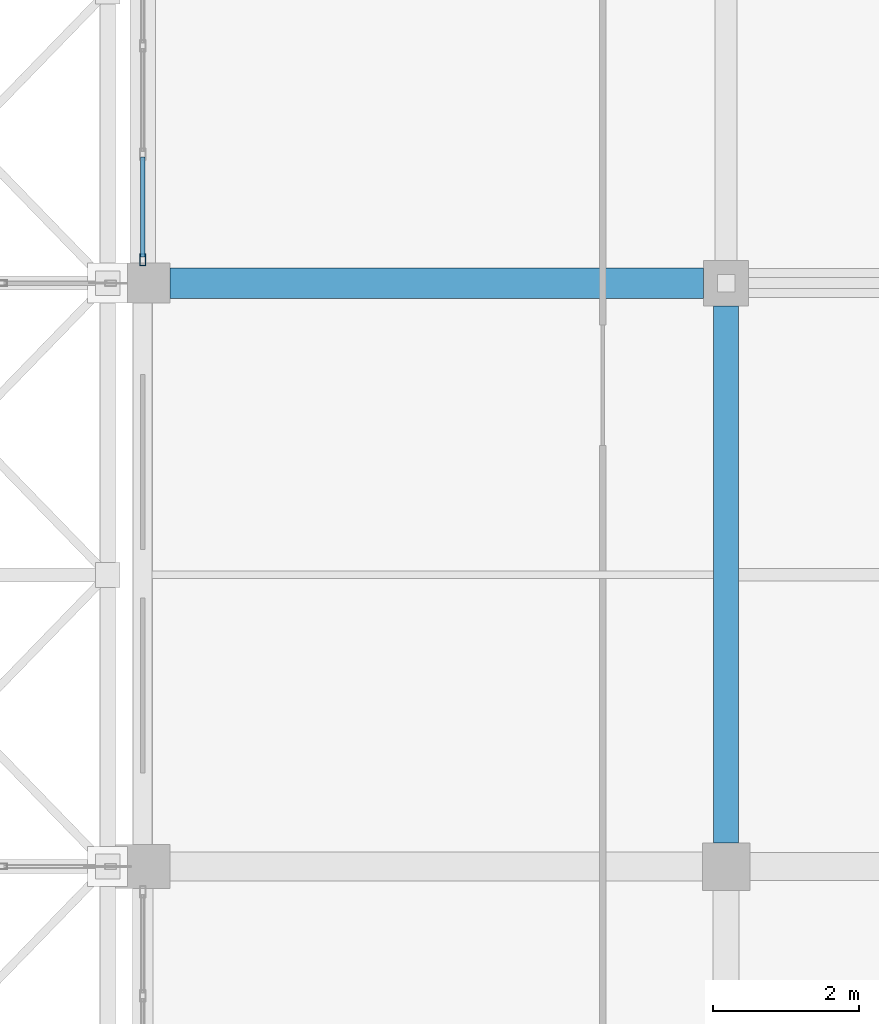
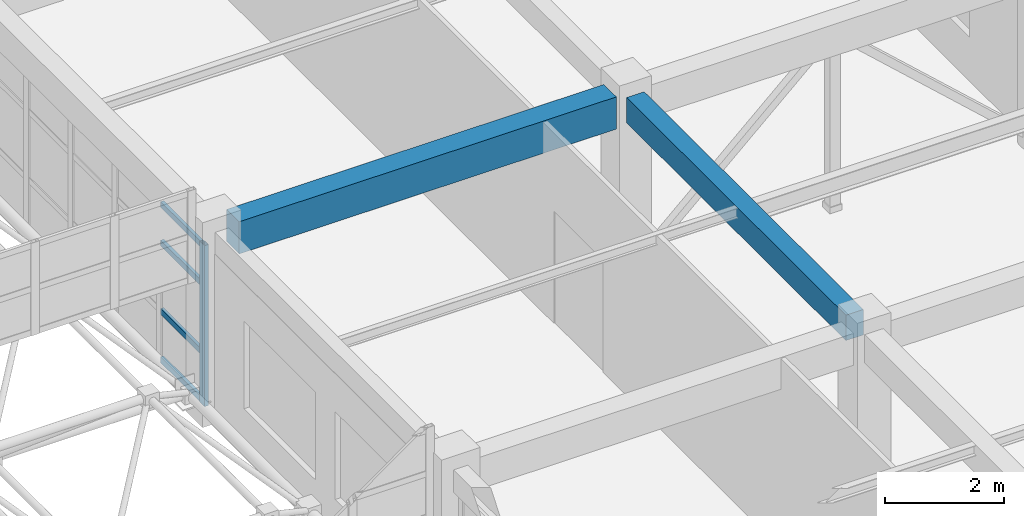
# One storey, part 69 of 195: 5 members, 2 beams, 1 element without a shape of its own.
"""IFC4 building model written with IfcOpenShell, lengths in metres."""

from ifc_helpers import new_model, si_unit, direction, frame, origin, origin_2d, place, context, subcontext, project, spatial, rectangle, hollow_rectangle, extrude, material, material_profile, profile_set, type_object, element, aggregate, save


model = new_model("IFC4")

# Units and contexts
model_context = context("Model", 3, precision=1e-05, world=origin(), true_north=direction((0.0, 1.0)))
body_context = subcontext(model_context, "Body", "Model", "MODEL_VIEW")
ifc_project = project(units=[si_unit("LENGTHUNIT", "METRE"), si_unit("AREAUNIT", "SQUARE_METRE"), si_unit("VOLUMEUNIT", "CUBIC_METRE"), si_unit("PLANEANGLEUNIT", "RADIAN"), si_unit("MASSUNIT", "GRAM", prefix="KILO")], contexts=[model_context])

# Site, building, storey
site_placement = place(None, origin())
site = spatial("IfcSite", under=ifc_project, at=site_placement, CompositionType="ELEMENT")
building_placement = place(site_placement, origin())
building = spatial("IfcBuilding", under=site, at=building_placement, Name="Kharva Crest Polytechnic", CompositionType="ELEMENT")
storey_placement = place(building_placement, frame((0.0, 0.0, 9.0)))
storey = spatial("IfcBuildingStorey", under=building, at=storey_placement, Name="L02", CompositionType="ELEMENT", Elevation=9.0)

# Beams
ifc_material_1 = material(Name="Concrete C35/45", Category="concrete")
ifc_material_profile_1 = material_profile(ifc_material_1, rectangle(XDim=0.340087890625, YDim=0.52001953125, at=origin_2d()), Name="RECT 340 X 520")
ifc_profile_set_1 = profile_set([ifc_material_profile_1], Name="Concrete C35/45")
beam_type_1 = type_object("IfcBeamType", Name="BM-RC-340X520", PredefinedType="BEAM", material=ifc_profile_set_1)
beam_1_placement = place(storey_placement, frame((40.0, 55.125, 3.659912109375), z_axis=(0.0, 1.0, 0.0), x_axis=(-1.0, 0.0, 0.0)))
element("IfcBeam", 1, at=beam_1_placement, inside=storey, type_object=beam_type_1, Name="L02 Girder 6/H-J", PredefinedType="BEAM", context=body_context, shape_type="SweptSolid", body=[
    extrude(rectangle(XDim=0.340087890625, YDim=0.52001953125, at=origin_2d()), origin(), (0.0, 0.0, 1.0), 7.364990234375),
])
ifc_material_profile_2 = material_profile(ifc_material_1, rectangle(XDim=0.419921875, YDim=0.659912109375, at=origin_2d()), Name="RECT 420 X 660")
ifc_profile_set_2 = profile_set([ifc_material_profile_2], Name="Concrete C35/45")
beam_type_2 = type_object("IfcBeamType", Name="BM-RC-420X660", PredefinedType="BEAM", material=ifc_profile_set_2)
beam_2_placement = place(storey_placement, frame((32.375, 62.800048828125, 3.590087890625), z_axis=(1.0, 0.0, 0.0), x_axis=(0.0, 1.0, 0.0)))
element("IfcBeam", 2, at=beam_2_placement, inside=storey, type_object=beam_type_2, Name="L02 Beam J/5-6", PredefinedType="BEAM", context=body_context, shape_type="SweptSolid", body=[
    extrude(rectangle(XDim=0.419921875, YDim=0.659912109375, at=origin_2d()), origin(), (0.0, 0.0, 1.0), 7.31494140625),
])

# Curtain wall, members
ifc_material_2 = material(Name="Tempered insulated glass", Category="glass")
curtain_wall_type = type_object("IfcCurtainWallType", Name="CW-SYS-COURT", PredefinedType="USERDEFINED", material=ifc_material_2)
curtain_wall_placement = place(storey_placement, origin())
curtain_wall = element("IfcCurtainWall", 3, at=curtain_wall_placement, inside=storey, type_object=curtain_wall_type, Name="L02 Glazed Curtain Wall CW-099", ObjectType="CURTAIN WALL", PredefinedType="USERDEFINED")
ifc_material_3 = material(Name="Steel S355", Category="steel")
ifc_material_profile_3 = material_profile(ifc_material_3, hollow_rectangle(XDim=0.080078125, YDim=0.159912109375, WallThickness=0.0048828125, at=origin_2d()), Name="RHS 160X80X5.0")
ifc_profile_set_3 = profile_set([ifc_material_profile_3], Name="Steel S355")
member_type_1 = type_object("IfcMemberType", Name="CWM-RHS160X80", PredefinedType="MULLION", material=ifc_profile_set_3)
member_1_placement = place(storey_placement, frame((32.0, 63.1201171875, 0.0), z_axis=(0.0, 0.0, 1.0), x_axis=(1.0, 0.0, 0.0)))
member_1 = element("IfcMember", 4, at=member_1_placement, type_object=member_type_1, Name="CW-099 mullion 6", PredefinedType="MULLION", context=body_context, shape_type="SweptSolid", body=[
    extrude(hollow_rectangle(XDim=0.080078125, YDim=0.159912109375, WallThickness=0.0048828125, at=origin_2d()), origin(), (0.0, 0.0, 1.0), 3.300048828125),
])
ifc_material_profile_4 = material_profile(ifc_material_3, hollow_rectangle(XDim=0.06005859375, YDim=0.1201171875, WallThickness=0.00390625, at=origin_2d()), Name="RHS 120X60X4.0")
ifc_profile_set_4 = profile_set([ifc_material_profile_4], Name="Steel S355")
member_type_2 = type_object("IfcMemberType", Name="CWT-RHS120X60", PredefinedType="USERDEFINED", material=ifc_profile_set_4)
member_2_placement = place(storey_placement, frame((32.0, 64.528076171875, 0.06005859375), z_axis=(0.0, -1.0, 0.0), x_axis=(1.0, 0.0, 0.0)))
member_2 = element("IfcMember", 5, at=member_2_placement, type_object=member_type_2, Name="CW-099 transom 5.1", ObjectType="TRANSOM", PredefinedType="USERDEFINED", context=body_context, shape_type="SweptSolid", body=[
    extrude(hollow_rectangle(XDim=0.06005859375, YDim=0.1201171875, WallThickness=0.00390625, at=origin_2d()), origin(), (0.0, 0.0, 1.0), 1.3681640625),
])
member_3_placement = place(storey_placement, frame((32.0, 64.528076171875, 1.050048828125), z_axis=(0.0, -1.0, 0.0), x_axis=(1.0, 0.0, 0.0)))
member_3 = element("IfcMember", 6, at=member_3_placement, type_object=member_type_2, Name="CW-099 transom 5.2", ObjectType="TRANSOM", PredefinedType="USERDEFINED", context=body_context, shape_type="SweptSolid", body=[
    extrude(hollow_rectangle(XDim=0.06005859375, YDim=0.1201171875, WallThickness=0.00390625, at=origin_2d()), origin(), (0.0, 0.0, 1.0), 1.3681640625),
])
member_4_placement = place(storey_placement, frame((32.0, 64.528076171875, 2.449951171875), z_axis=(0.0, -1.0, 0.0), x_axis=(1.0, 0.0, 0.0)))
member_4 = element("IfcMember", 7, at=member_4_placement, type_object=member_type_2, Name="CW-099 transom 5.3", ObjectType="TRANSOM", PredefinedType="USERDEFINED", context=body_context, shape_type="SweptSolid", body=[
    extrude(hollow_rectangle(XDim=0.06005859375, YDim=0.1201171875, WallThickness=0.00390625, at=origin_2d()), origin(), (0.0, 0.0, 1.0), 1.3681640625),
])
member_5_placement = place(storey_placement, frame((32.0, 64.528076171875, 3.239990234375), z_axis=(0.0, -1.0, 0.0), x_axis=(1.0, 0.0, 0.0)))
member_5 = element("IfcMember", 8, at=member_5_placement, type_object=member_type_2, Name="CW-099 transom 5.4", ObjectType="TRANSOM", PredefinedType="USERDEFINED", context=body_context, shape_type="SweptSolid", body=[
    extrude(hollow_rectangle(XDim=0.06005859375, YDim=0.1201171875, WallThickness=0.00390625, at=origin_2d()), origin(), (0.0, 0.0, 1.0), 1.3681640625),
])
aggregate(curtain_wall, [member_1, member_2, member_3, member_4, member_5])

save(model, "model.ifc")
